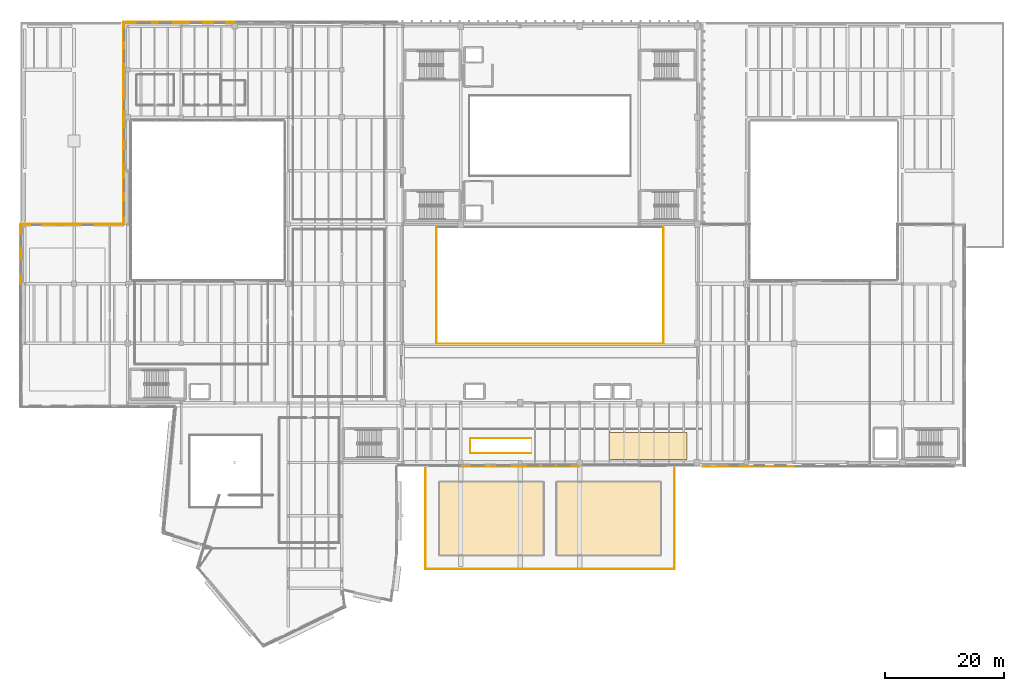
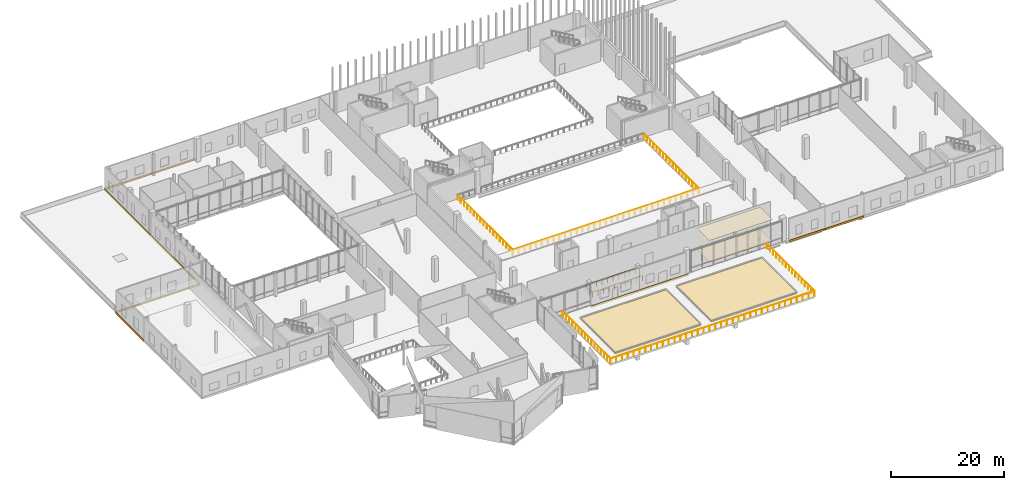
# One storey, part 52 of 60: 17 coverings, 6 railings.
"""IFC4 building model written with IfcOpenShell, lengths in metres."""

from ifc_helpers import new_model, si_unit, direction, frame, origin, origin_2d, place, context, subcontext, project, spatial, polyline, rectangle, circle, outline, extrude, material, layer, layer_set, type_object, element, save


model = new_model("IFC4")

# Units and contexts
model_context = context("Model", 3, precision=1e-05, world=origin(), true_north=direction((0.0, 1.0)))
body_context = subcontext(model_context, "Body", "Model", "MODEL_VIEW")
ifc_project = project(units=[si_unit("LENGTHUNIT", "METRE"), si_unit("AREAUNIT", "SQUARE_METRE"), si_unit("VOLUMEUNIT", "CUBIC_METRE"), si_unit("PLANEANGLEUNIT", "RADIAN"), si_unit("MASSUNIT", "GRAM", prefix="KILO")], contexts=[model_context])

# Site, building, storey
site_placement = place(None, origin())
site = spatial("IfcSite", under=ifc_project, at=site_placement, CompositionType="ELEMENT")
building_placement = place(site_placement, origin())
building = spatial("IfcBuilding", under=site, at=building_placement, Name="Trimount Lyric Opera House", CompositionType="ELEMENT")
storey_placement = place(building_placement, frame((0.0, 0.0, 15.0)))
storey = spatial("IfcBuildingStorey", under=building, at=storey_placement, Name="L03", CompositionType="ELEMENT", Elevation=15.0)

# Coverings
ifc_material_1 = material(Name="Micro-Perforated White Oak Acoustic Ceiling")
ifc_layer_1 = layer(ifc_material_1, 0.0400390625)
ifc_layer_set_1 = layer_set([ifc_layer_1], Name="CEIL-AC1")
covering_type_1 = type_object("IfcCoveringType", Name="CEIL-AC1", PredefinedType="CEILING", material=ifc_layer_set_1)
covering_1_placement = place(storey_placement, frame((0.0, 0.0, 4.679931640625)))
element("IfcCovering", 1, at=covering_1_placement, inside=storey, type_object=covering_type_1, Name="Grand Tier South Foyer acoustic ceiling", PredefinedType="CEILING", context=body_context, shape_type="SweptSolid", body=[
    extrude(outline(polyline([(99.0, 44.5), (112.0, 44.5), (112.0, 49.0), (99.0, 49.0), (99.0, 44.5)])), origin(), (0.0, 0.0, 1.0), 0.0400390625),
])
ifc_material_2 = material(Name="Architectural Precast Concrete Spandrel Band", Category="concrete")
ifc_layer_2 = layer(ifc_material_2, 0.094970703125)
ifc_layer_set_2 = layer_set([ifc_layer_2], Name="CLD-WING1")
covering_type_2 = type_object("IfcCoveringType", Name="CLD-WING1", PredefinedType="CLADDING", material=ifc_layer_set_2)
covering_2_placement = place(storey_placement, frame((-0.04150390625, 79.0, -0.369873046875), z_axis=(0.0, 0.0, 1.0), x_axis=(0.0, 1.0, 0.0)))
element("IfcCovering", 2, at=covering_2_placement, inside=storey, type_object=covering_type_2, Name="L03 precast slab-edge spandrel 246", PredefinedType="CLADDING", context=body_context, shape_type="SweptSolid", body=[
    extrude(rectangle(XDim=9.93994140625, YDim=0.094970703125, at=origin_2d()), origin(), (0.0, 0.0, 1.0), 0.419921875),
])
covering_3_placement = place(storey_placement, frame((4.5, 84.04150390625, -0.369873046875), z_axis=(0.0, 0.0, 1.0), x_axis=(1.0, 0.0, 0.0)))
element("IfcCovering", 3, at=covering_3_placement, inside=storey, type_object=covering_type_2, Name="L03 precast slab-edge spandrel 247", PredefinedType="CLADDING", context=body_context, shape_type="SweptSolid", body=[
    extrude(rectangle(XDim=8.93994140625, YDim=0.094970703125, at=origin_2d()), origin(), (0.0, 0.0, 1.0), 0.419921875),
])
covering_4_placement = place(storey_placement, frame((13.159912109375, 84.04150390625, -0.369873046875), z_axis=(0.0, 0.0, 1.0), x_axis=(1.0, 0.0, 0.0)))
element("IfcCovering", 4, at=covering_4_placement, inside=storey, type_object=covering_type_2, Name="L03 precast slab-edge spandrel 248", PredefinedType="CLADDING", context=body_context, shape_type="SweptSolid", body=[
    extrude(rectangle(XDim=8.260009765625, YDim=0.094970703125, at=origin_2d()), origin(), (0.0, 0.0, 1.0), 0.419921875),
])
for number, where, z_axis, x_axis, name in (
    (5, (17.278564453125, 88.5, -0.369873046875), (0.0, 0.0, 1.0), (0.0, 1.0, 0.0), "L03 precast slab-edge spandrel 249"),
    (6, (17.278564453125, 97.5, -0.369873046875), (0.0, 0.0, 1.0), (0.0, 1.0, 0.0), "L03 precast slab-edge spandrel 250"),
):
    element("IfcCovering", number, at=place(storey_placement, frame(where, z_axis=z_axis, x_axis=x_axis)), inside=storey, type_object=covering_type_2, Name=name, PredefinedType="CLADDING", context=body_context, shape_type="SweptSolid", body=[
        extrude(rectangle(XDim=8.93994140625, YDim=0.094970703125, at=origin_2d()), origin(), (0.0, 0.0, 1.0), 0.419921875),
    ])
for number, where, z_axis, x_axis, name in (
    (7, (17.278564453125, 106.0, -0.369873046875), (0.0, 0.0, 1.0), (0.0, 1.0, 0.0), "L03 precast slab-edge spandrel 251"),
    (8, (17.278564453125, 114.0, -0.369873046875), (0.0, 0.0, 1.0), (0.0, 1.0, 0.0), "L03 precast slab-edge spandrel 252"),
):
    element("IfcCovering", number, at=place(storey_placement, frame(where, z_axis=z_axis, x_axis=x_axis)), inside=storey, type_object=covering_type_2, Name=name, PredefinedType="CLADDING", context=body_context, shape_type="SweptSolid", body=[
        extrude(rectangle(XDim=7.93994140625, YDim=0.094970703125, at=origin_2d()), origin(), (0.0, 0.0, 1.0), 0.419921875),
    ])
covering_5_placement = place(storey_placement, frame((22.159912109375, 118.04150390625, -0.369873046875), z_axis=(0.0, 0.0, 1.0), x_axis=(1.0, 0.0, 0.0)))
element("IfcCovering", 9, at=covering_5_placement, inside=storey, type_object=covering_type_2, Name="L03 precast slab-edge spandrel 253", PredefinedType="CLADDING", context=body_context, shape_type="SweptSolid", body=[
    extrude(rectangle(XDim=9.6201171875, YDim=0.094970703125, at=origin_2d()), origin(), (0.0, 0.0, 1.0), 0.419921875),
])
covering_6_placement = place(storey_placement, frame((31.5, 118.04150390625, -0.369873046875), z_axis=(0.0, 0.0, 1.0), x_axis=(1.0, 0.0, 0.0)))
element("IfcCovering", 10, at=covering_6_placement, inside=storey, type_object=covering_type_2, Name="L03 precast slab-edge spandrel 254", PredefinedType="CLADDING", context=body_context, shape_type="SweptSolid", body=[
    extrude(rectangle(XDim=8.93994140625, YDim=0.094970703125, at=origin_2d()), origin(), (0.0, 0.0, 1.0), 0.419921875),
])
covering_7_placement = place(storey_placement, frame((126.0, 43.278564453125, -0.369873046875), z_axis=(0.0, 0.0, 1.0), x_axis=(-1.0, 0.0, 0.0)))
element("IfcCovering", 11, at=covering_7_placement, inside=storey, type_object=covering_type_2, Name="L03 precast slab-edge spandrel 278", PredefinedType="CLADDING", context=body_context, shape_type="SweptSolid", body=[
    extrude(rectangle(XDim=7.93994140625, YDim=0.094970703125, at=origin_2d()), origin(), (0.0, 0.0, 1.0), 0.419921875),
])
covering_8_placement = place(storey_placement, frame((118.340087890625, 43.278564453125, -0.369873046875), z_axis=(0.0, 0.0, 1.0), x_axis=(-1.0, 0.0, 0.0)))
element("IfcCovering", 12, at=covering_8_placement, inside=storey, type_object=covering_type_2, Name="L03 precast slab-edge spandrel 279", PredefinedType="CLADDING", context=body_context, shape_type="SweptSolid", body=[
    extrude(rectangle(XDim=7.260009765625, YDim=0.094970703125, at=origin_2d()), origin(), (0.0, 0.0, 1.0), 0.419921875),
])
for number, where, z_axis, x_axis, name in (
    (13, (89.0, 43.278564453125, -0.369873046875), (0.0, 0.0, 1.0), (-1.0, 0.0, 0.0), "L03 precast slab-edge spandrel 280"),
    (14, (79.0, 43.278564453125, -0.369873046875), (0.0, 0.0, 1.0), (-1.0, 0.0, 0.0), "L03 precast slab-edge spandrel 281"),
):
    element("IfcCovering", number, at=place(storey_placement, frame(where, z_axis=z_axis, x_axis=x_axis)), inside=storey, type_object=covering_type_2, Name=name, PredefinedType="CLADDING", context=body_context, shape_type="SweptSolid", body=[
        extrude(rectangle(XDim=9.93994140625, YDim=0.094970703125, at=origin_2d()), origin(), (0.0, 0.0, 1.0), 0.419921875),
    ])
ifc_material_3 = material(Name="Honed Granite Terrazzo Concourse Flooring", Category="masonry")
ifc_layer_3 = layer(ifc_material_3, 0.02490234375)
ifc_layer_set_3 = layer_set([ifc_layer_3], Name="FLR-TRZ1")
covering_type_3 = type_object("IfcCoveringType", Name="FLR-TRZ1", PredefinedType="FLOORING", material=ifc_layer_set_3)
covering_9_placement = place(storey_placement, origin())
element("IfcCovering", 15, at=covering_9_placement, inside=storey, type_object=covering_type_3, Name="Grand Tier South Foyer finish flooring", PredefinedType="FLOORING", context=body_context, shape_type="SweptSolid", body=[
    extrude(outline(polyline([(99.0, 44.5), (112.0, 44.5), (112.0, 49.0), (99.0, 49.0), (99.0, 44.5)])), origin(), (0.0, 0.0, 1.0), 0.02490234375),
])
ifc_material_4 = material(Name="Intensive Planted Sedum and Perennial Roof Garden")
ifc_layer_4 = layer(ifc_material_4, 0.219970703125)
ifc_layer_set_4 = layer_set([ifc_layer_4], Name="RFG-GRDN1")
covering_type_4 = type_object("IfcCoveringType", Name="RFG-GRDN1", PredefinedType="ROOFING", material=ifc_layer_set_4)
covering_10_placement = place(storey_placement, origin())
element("IfcCovering", 16, at=covering_10_placement, inside=storey, type_object=covering_type_4, Name="South Concourse Roof Garden planted sedum and perennial bed 1", PredefinedType="ROOFING", context=body_context, shape_type="SweptSolid", body=[
    extrude(outline(polyline([(70.39990234375, 28.39990234375), (87.89990234375, 28.39990234375), (87.89990234375, 40.719970703125), (70.39990234375, 40.719970703125), (70.39990234375, 28.39990234375)])), origin(), (0.0, 0.0, 1.0), 0.219970703125),
])
covering_11_placement = place(storey_placement, origin())
element("IfcCovering", 17, at=covering_11_placement, inside=storey, type_object=covering_type_4, Name="South Concourse Roof Garden planted sedum and perennial bed 2", PredefinedType="ROOFING", context=body_context, shape_type="SweptSolid", body=[
    extrude(outline(polyline([(90.10009765625, 28.39990234375), (107.60009765625, 28.39990234375), (107.60009765625, 40.719970703125), (90.10009765625, 40.719970703125), (90.10009765625, 28.39990234375)])), origin(), (0.0, 0.0, 1.0), 0.219970703125),
])

# Railings
ifc_material_5 = material(Name="Bronze and Laminated Acoustic Glass", Category="glass")
railing_type_1 = type_object("IfcRailingType", Name="RL-BAL112", PredefinedType="BALUSTRADE", material=ifc_material_5)
railing_1_placement = place(storey_placement, frame((85.85009765625, 45.5400390625, 0.0)))
element("IfcRailing", 18, at=railing_1_placement, inside=storey, type_object=railing_type_1, Name="L03 feature stair well guard G3", PredefinedType="BALUSTRADE", context=body_context, shape_type="SweptSolid", body=[
    extrude(circle(Radius=0.02734375, at=origin_2d()), frame((0.0, 0.0, 1.0927734375), z_axis=(-1.0, 0.0, 0.0), x_axis=(0.0, -1.0, 0.0)), (0.0, 0.0, 1.0), 10.260009765625),
    extrude(circle(Radius=0.02734375, at=origin_2d()), frame((-10.260009765625, 0.0, 1.0927734375), z_axis=(0.0, 1.0, 0.0), x_axis=(-1.0, 0.0, 0.0)), (0.0, 0.0, 1.0), 2.52001953125),
    extrude(circle(Radius=0.02734375, at=origin_2d()), frame((-10.260009765625, 2.52001953125, 1.0927734375), z_axis=(1.0, 0.0, 0.0), x_axis=(0.0, 1.0, 0.0)), (0.0, 0.0, 1.0), 10.260009765625),
    extrude(circle(Radius=0.02099609375, at=origin_2d()), origin(), (0.0, 0.0, 1.0), 1.065185546875),
    extrude(circle(Radius=0.02099609375, at=origin_2d()), frame((-1.139892578125, 0.0, 0.0)), (0.0, 0.0, 1.0), 1.065185546875),
    extrude(circle(Radius=0.02099609375, at=origin_2d()), frame((-2.280029296875, 0.0, 0.0)), (0.0, 0.0, 1.0), 1.065185546875),
    extrude(circle(Radius=0.02099609375, at=origin_2d()), frame((-3.419921875, 0.0, 0.0)), (0.0, 0.0, 1.0), 1.065185546875),
    extrude(circle(Radius=0.02099609375, at=origin_2d()), frame((-4.56005859375, 0.0, 0.0)), (0.0, 0.0, 1.0), 1.065185546875),
    extrude(circle(Radius=0.02099609375, at=origin_2d()), frame((-5.699951171875, 0.0, 0.0)), (0.0, 0.0, 1.0), 1.065185546875),
    extrude(circle(Radius=0.02099609375, at=origin_2d()), frame((-6.840087890625, 0.0, 0.0)), (0.0, 0.0, 1.0), 1.065185546875),
    extrude(circle(Radius=0.02099609375, at=origin_2d()), frame((-7.97998046875, 0.0, 0.0)), (0.0, 0.0, 1.0), 1.065185546875),
    extrude(circle(Radius=0.02099609375, at=origin_2d()), frame((-9.1201171875, 0.0, 0.0)), (0.0, 0.0, 1.0), 1.065185546875),
    extrude(circle(Radius=0.02099609375, at=origin_2d()), frame((-10.260009765625, 0.0, 0.0)), (0.0, 0.0, 1.0), 1.065185546875),
    extrude(circle(Radius=0.02099609375, at=origin_2d()), frame((-10.260009765625, 0.840087890625, 0.0)), (0.0, 0.0, 1.0), 1.065185546875),
    extrude(circle(Radius=0.02099609375, at=origin_2d()), frame((-10.260009765625, 1.679931640625, 0.0)), (0.0, 0.0, 1.0), 1.065185546875),
    extrude(circle(Radius=0.02099609375, at=origin_2d()), frame((-10.260009765625, 2.52001953125, 0.0)), (0.0, 0.0, 1.0), 1.065185546875),
    extrude(circle(Radius=0.02099609375, at=origin_2d()), frame((-9.1201171875, 2.52001953125, 0.0)), (0.0, 0.0, 1.0), 1.065185546875),
    extrude(circle(Radius=0.02099609375, at=origin_2d()), frame((-7.97998046875, 2.52001953125, 0.0)), (0.0, 0.0, 1.0), 1.065185546875),
    extrude(circle(Radius=0.02099609375, at=origin_2d()), frame((-6.840087890625, 2.52001953125, 0.0)), (0.0, 0.0, 1.0), 1.065185546875),
    extrude(circle(Radius=0.02099609375, at=origin_2d()), frame((-5.699951171875, 2.52001953125, 0.0)), (0.0, 0.0, 1.0), 1.065185546875),
    extrude(circle(Radius=0.02099609375, at=origin_2d()), frame((-4.56005859375, 2.52001953125, 0.0)), (0.0, 0.0, 1.0), 1.065185546875),
    extrude(circle(Radius=0.02099609375, at=origin_2d()), frame((-3.419921875, 2.52001953125, 0.0)), (0.0, 0.0, 1.0), 1.065185546875),
    extrude(circle(Radius=0.02099609375, at=origin_2d()), frame((-2.280029296875, 2.52001953125, 0.0)), (0.0, 0.0, 1.0), 1.065185546875),
    extrude(circle(Radius=0.02099609375, at=origin_2d()), frame((-1.139892578125, 2.52001953125, 0.0)), (0.0, 0.0, 1.0), 1.065185546875),
    extrude(circle(Radius=0.02099609375, at=origin_2d()), frame((0.0, 2.52001953125, 0.0)), (0.0, 0.0, 1.0), 1.065185546875),
])
railing_2_placement = place(storey_placement, frame((69.919921875, 63.919921875, 0.0)))
element("IfcRailing", 19, at=railing_2_placement, inside=storey, type_object=railing_type_1, Name="L03 atrium and balcony guard GRD-AUD-L03-S", PredefinedType="BALUSTRADE", context=body_context, shape_type="SweptSolid", body=[
    extrude(circle(Radius=0.02734375, at=origin_2d()), frame((0.0, 0.0, 1.0927734375), z_axis=(1.0, 0.0, 0.0), x_axis=(0.0, 1.0, 0.0)), (0.0, 0.0, 1.0), 38.16015625),
    extrude(circle(Radius=0.02099609375, at=origin_2d()), origin(), (0.0, 0.0, 1.0), 1.065185546875),
    extrude(circle(Radius=0.02099609375, at=origin_2d()), frame((1.1923828125, 0.0, 0.0)), (0.0, 0.0, 1.0), 1.065185546875),
    extrude(circle(Radius=0.02099609375, at=origin_2d()), frame((2.385009765625, 0.0, 0.0)), (0.0, 0.0, 1.0), 1.065185546875),
    extrude(circle(Radius=0.02099609375, at=origin_2d()), frame((3.57763671875, 0.0, 0.0)), (0.0, 0.0, 1.0), 1.065185546875),
    extrude(circle(Radius=0.02099609375, at=origin_2d()), frame((4.77001953125, 0.0, 0.0)), (0.0, 0.0, 1.0), 1.065185546875),
    extrude(circle(Radius=0.02099609375, at=origin_2d()), frame((5.96240234375, 0.0, 0.0)), (0.0, 0.0, 1.0), 1.065185546875),
    extrude(circle(Radius=0.02099609375, at=origin_2d()), frame((7.155029296875, 0.0, 0.0)), (0.0, 0.0, 1.0), 1.065185546875),
    extrude(circle(Radius=0.02099609375, at=origin_2d()), frame((8.34765625, 0.0, 0.0)), (0.0, 0.0, 1.0), 1.065185546875),
    extrude(circle(Radius=0.02099609375, at=origin_2d()), frame((9.5400390625, 0.0, 0.0)), (0.0, 0.0, 1.0), 1.065185546875),
    extrude(circle(Radius=0.02099609375, at=origin_2d()), frame((10.732421875, 0.0, 0.0)), (0.0, 0.0, 1.0), 1.065185546875),
    extrude(circle(Radius=0.02099609375, at=origin_2d()), frame((11.925048828125, 0.0, 0.0)), (0.0, 0.0, 1.0), 1.065185546875),
    extrude(circle(Radius=0.02099609375, at=origin_2d()), frame((13.11767578125, 0.0, 0.0)), (0.0, 0.0, 1.0), 1.065185546875),
    extrude(circle(Radius=0.02099609375, at=origin_2d()), frame((14.31005859375, 0.0, 0.0)), (0.0, 0.0, 1.0), 1.065185546875),
    extrude(circle(Radius=0.02099609375, at=origin_2d()), frame((15.50244140625, 0.0, 0.0)), (0.0, 0.0, 1.0), 1.065185546875),
    extrude(circle(Radius=0.02099609375, at=origin_2d()), frame((16.695068359375, 0.0, 0.0)), (0.0, 0.0, 1.0), 1.065185546875),
    extrude(circle(Radius=0.02099609375, at=origin_2d()), frame((17.8876953125, 0.0, 0.0)), (0.0, 0.0, 1.0), 1.065185546875),
    extrude(circle(Radius=0.02099609375, at=origin_2d()), frame((19.080078125, 0.0, 0.0)), (0.0, 0.0, 1.0), 1.065185546875),
    extrude(circle(Radius=0.02099609375, at=origin_2d()), frame((20.2724609375, 0.0, 0.0)), (0.0, 0.0, 1.0), 1.065185546875),
    extrude(circle(Radius=0.02099609375, at=origin_2d()), frame((21.465087890625, 0.0, 0.0)), (0.0, 0.0, 1.0), 1.065185546875),
    extrude(circle(Radius=0.02099609375, at=origin_2d()), frame((22.65771484375, 0.0, 0.0)), (0.0, 0.0, 1.0), 1.065185546875),
    extrude(circle(Radius=0.02099609375, at=origin_2d()), frame((23.85009765625, 0.0, 0.0)), (0.0, 0.0, 1.0), 1.065185546875),
    extrude(circle(Radius=0.02099609375, at=origin_2d()), frame((25.04248046875, 0.0, 0.0)), (0.0, 0.0, 1.0), 1.065185546875),
    extrude(circle(Radius=0.02099609375, at=origin_2d()), frame((26.235107421875, 0.0, 0.0)), (0.0, 0.0, 1.0), 1.065185546875),
    extrude(circle(Radius=0.02099609375, at=origin_2d()), frame((27.427734375, 0.0, 0.0)), (0.0, 0.0, 1.0), 1.065185546875),
    extrude(circle(Radius=0.02099609375, at=origin_2d()), frame((28.6201171875, 0.0, 0.0)), (0.0, 0.0, 1.0), 1.065185546875),
    extrude(circle(Radius=0.02099609375, at=origin_2d()), frame((29.8125, 0.0, 0.0)), (0.0, 0.0, 1.0), 1.065185546875),
    extrude(circle(Radius=0.02099609375, at=origin_2d()), frame((31.005126953125, 0.0, 0.0)), (0.0, 0.0, 1.0), 1.065185546875),
    extrude(circle(Radius=0.02099609375, at=origin_2d()), frame((32.19775390625, 0.0, 0.0)), (0.0, 0.0, 1.0), 1.065185546875),
    extrude(circle(Radius=0.02099609375, at=origin_2d()), frame((33.39013671875, 0.0, 0.0)), (0.0, 0.0, 1.0), 1.065185546875),
    extrude(circle(Radius=0.02099609375, at=origin_2d()), frame((34.58251953125, 0.0, 0.0)), (0.0, 0.0, 1.0), 1.065185546875),
    extrude(circle(Radius=0.02099609375, at=origin_2d()), frame((35.775146484375, 0.0, 0.0)), (0.0, 0.0, 1.0), 1.065185546875),
    extrude(circle(Radius=0.02099609375, at=origin_2d()), frame((36.9677734375, 0.0, 0.0)), (0.0, 0.0, 1.0), 1.065185546875),
    extrude(circle(Radius=0.02099609375, at=origin_2d()), frame((38.16015625, 0.0, 0.0)), (0.0, 0.0, 1.0), 1.065185546875),
])
railing_3_placement = place(storey_placement, frame((108.080078125, 63.919921875, 0.0)))
element("IfcRailing", 20, at=railing_3_placement, inside=storey, type_object=railing_type_1, Name="L03 atrium and balcony guard GRD-AUD-L03-E", PredefinedType="BALUSTRADE", context=body_context, shape_type="SweptSolid", body=[
    extrude(circle(Radius=0.02734375, at=origin_2d()), frame((0.0, 0.0, 1.0927734375), z_axis=(0.0, 1.0, 0.0), x_axis=(-1.0, 0.0, 0.0)), (0.0, 0.0, 1.0), 19.66015625),
    extrude(circle(Radius=0.02099609375, at=origin_2d()), origin(), (0.0, 0.0, 1.0), 1.065185546875),
    extrude(circle(Radius=0.02099609375, at=origin_2d()), frame((0.0, 1.156494140625, 0.0)), (0.0, 0.0, 1.0), 1.065185546875),
    extrude(circle(Radius=0.02099609375, at=origin_2d()), frame((0.0, 2.31298828125, 0.0)), (0.0, 0.0, 1.0), 1.065185546875),
    extrude(circle(Radius=0.02099609375, at=origin_2d()), frame((0.0, 3.469482421875, 0.0)), (0.0, 0.0, 1.0), 1.065185546875),
    extrude(circle(Radius=0.02099609375, at=origin_2d()), frame((0.0, 4.6259765625, 0.0)), (0.0, 0.0, 1.0), 1.065185546875),
    extrude(circle(Radius=0.02099609375, at=origin_2d()), frame((0.0, 5.782470703125, 0.0)), (0.0, 0.0, 1.0), 1.065185546875),
    extrude(circle(Radius=0.02099609375, at=origin_2d()), frame((0.0, 6.93896484375, 0.0)), (0.0, 0.0, 1.0), 1.065185546875),
    extrude(circle(Radius=0.02099609375, at=origin_2d()), frame((0.0, 8.095458984375, 0.0)), (0.0, 0.0, 1.0), 1.065185546875),
    extrude(circle(Radius=0.02099609375, at=origin_2d()), frame((0.0, 9.251953125, 0.0)), (0.0, 0.0, 1.0), 1.065185546875),
    extrude(circle(Radius=0.02099609375, at=origin_2d()), frame((0.0, 10.408203125, 0.0)), (0.0, 0.0, 1.0), 1.065185546875),
    extrude(circle(Radius=0.02099609375, at=origin_2d()), frame((0.0, 11.564697265625, 0.0)), (0.0, 0.0, 1.0), 1.065185546875),
    extrude(circle(Radius=0.02099609375, at=origin_2d()), frame((0.0, 12.72119140625, 0.0)), (0.0, 0.0, 1.0), 1.065185546875),
    extrude(circle(Radius=0.02099609375, at=origin_2d()), frame((0.0, 13.877685546875, 0.0)), (0.0, 0.0, 1.0), 1.065185546875),
    extrude(circle(Radius=0.02099609375, at=origin_2d()), frame((0.0, 15.0341796875, 0.0)), (0.0, 0.0, 1.0), 1.065185546875),
    extrude(circle(Radius=0.02099609375, at=origin_2d()), frame((0.0, 16.190673828125, 0.0)), (0.0, 0.0, 1.0), 1.065185546875),
    extrude(circle(Radius=0.02099609375, at=origin_2d()), frame((0.0, 17.34716796875, 0.0)), (0.0, 0.0, 1.0), 1.065185546875),
    extrude(circle(Radius=0.02099609375, at=origin_2d()), frame((0.0, 18.503662109375, 0.0)), (0.0, 0.0, 1.0), 1.065185546875),
    extrude(circle(Radius=0.02099609375, at=origin_2d()), frame((0.0, 19.66015625, 0.0)), (0.0, 0.0, 1.0), 1.065185546875),
])
railing_4_placement = place(storey_placement, frame((69.919921875, 83.580078125, 0.0)))
element("IfcRailing", 21, at=railing_4_placement, inside=storey, type_object=railing_type_1, Name="L03 atrium and balcony guard GRD-AUD-L03-W", PredefinedType="BALUSTRADE", context=body_context, shape_type="SweptSolid", body=[
    extrude(circle(Radius=0.02734375, at=origin_2d()), frame((0.0, 0.0, 1.0927734375), z_axis=(0.0, -1.0, 0.0), x_axis=(1.0, 0.0, 0.0)), (0.0, 0.0, 1.0), 19.66015625),
    extrude(circle(Radius=0.02099609375, at=origin_2d()), origin(), (0.0, 0.0, 1.0), 1.065185546875),
    extrude(circle(Radius=0.02099609375, at=origin_2d()), frame((0.0, -1.156494140625, 0.0)), (0.0, 0.0, 1.0), 1.065185546875),
    extrude(circle(Radius=0.02099609375, at=origin_2d()), frame((0.0, -2.31298828125, 0.0)), (0.0, 0.0, 1.0), 1.065185546875),
    extrude(circle(Radius=0.02099609375, at=origin_2d()), frame((0.0, -3.469482421875, 0.0)), (0.0, 0.0, 1.0), 1.065185546875),
    extrude(circle(Radius=0.02099609375, at=origin_2d()), frame((0.0, -4.6259765625, 0.0)), (0.0, 0.0, 1.0), 1.065185546875),
    extrude(circle(Radius=0.02099609375, at=origin_2d()), frame((0.0, -5.782470703125, 0.0)), (0.0, 0.0, 1.0), 1.065185546875),
    extrude(circle(Radius=0.02099609375, at=origin_2d()), frame((0.0, -6.93896484375, 0.0)), (0.0, 0.0, 1.0), 1.065185546875),
    extrude(circle(Radius=0.02099609375, at=origin_2d()), frame((0.0, -8.095458984375, 0.0)), (0.0, 0.0, 1.0), 1.065185546875),
    extrude(circle(Radius=0.02099609375, at=origin_2d()), frame((0.0, -9.251953125, 0.0)), (0.0, 0.0, 1.0), 1.065185546875),
    extrude(circle(Radius=0.02099609375, at=origin_2d()), frame((0.0, -10.408203125, 0.0)), (0.0, 0.0, 1.0), 1.065185546875),
    extrude(circle(Radius=0.02099609375, at=origin_2d()), frame((0.0, -11.564697265625, 0.0)), (0.0, 0.0, 1.0), 1.065185546875),
    extrude(circle(Radius=0.02099609375, at=origin_2d()), frame((0.0, -12.72119140625, 0.0)), (0.0, 0.0, 1.0), 1.065185546875),
    extrude(circle(Radius=0.02099609375, at=origin_2d()), frame((0.0, -13.877685546875, 0.0)), (0.0, 0.0, 1.0), 1.065185546875),
    extrude(circle(Radius=0.02099609375, at=origin_2d()), frame((0.0, -15.0341796875, 0.0)), (0.0, 0.0, 1.0), 1.065185546875),
    extrude(circle(Radius=0.02099609375, at=origin_2d()), frame((0.0, -16.190673828125, 0.0)), (0.0, 0.0, 1.0), 1.065185546875),
    extrude(circle(Radius=0.02099609375, at=origin_2d()), frame((0.0, -17.34716796875, 0.0)), (0.0, 0.0, 1.0), 1.065185546875),
    extrude(circle(Radius=0.02099609375, at=origin_2d()), frame((0.0, -18.503662109375, 0.0)), (0.0, 0.0, 1.0), 1.065185546875),
    extrude(circle(Radius=0.02099609375, at=origin_2d()), frame((0.0, -19.66015625, 0.0)), (0.0, 0.0, 1.0), 1.065185546875),
])
ifc_material_6 = material(Name="Laminated Glass and Stainless Steel", Category="steel")
railing_type_2 = type_object("IfcRailingType", Name="RL-GRD115", PredefinedType="GUARDRAIL", material=ifc_material_6)
railing_5_placement = place(storey_placement, frame((109.919921875, 26.080078125, 0.0)))
element("IfcRailing", 22, at=railing_5_placement, inside=storey, type_object=railing_type_2, Name="South Concourse Roof Garden perimeter guardrail 1", PredefinedType="GUARDRAIL", context=body_context, shape_type="SweptSolid", body=[
    extrude(circle(Radius=0.02392578125, at=origin_2d()), frame((0.0, 0.0, 1.1259765625), z_axis=(-1.0, 0.0, 0.0), x_axis=(0.0, -1.0, 0.0)), (0.0, 0.0, 1.0), 41.83984375),
    extrude(circle(Radius=0.02392578125, at=origin_2d()), frame((-41.83984375, 0.0, 1.1259765625), z_axis=(0.0, 1.0, 0.0), x_axis=(-1.0, 0.0, 0.0)), (0.0, 0.0, 1.0), 16.889892578125),
    extrude(circle(Radius=0.02099609375, at=origin_2d()), origin(), (0.0, 0.0, 1.0), 1.101806640625),
    extrude(circle(Radius=0.02099609375, at=origin_2d()), frame((-1.1953125, 0.0, 0.0)), (0.0, 0.0, 1.0), 1.101806640625),
    extrude(circle(Radius=0.02099609375, at=origin_2d()), frame((-2.390869140625, 0.0, 0.0)), (0.0, 0.0, 1.0), 1.101806640625),
    extrude(circle(Radius=0.02099609375, at=origin_2d()), frame((-3.586181640625, 0.0, 0.0)), (0.0, 0.0, 1.0), 1.101806640625),
    extrude(circle(Radius=0.02099609375, at=origin_2d()), frame((-4.78173828125, 0.0, 0.0)), (0.0, 0.0, 1.0), 1.101806640625),
    extrude(circle(Radius=0.02099609375, at=origin_2d()), frame((-5.97705078125, 0.0, 0.0)), (0.0, 0.0, 1.0), 1.101806640625),
    extrude(circle(Radius=0.02099609375, at=origin_2d()), frame((-7.172607421875, 0.0, 0.0)), (0.0, 0.0, 1.0), 1.101806640625),
    extrude(circle(Radius=0.02099609375, at=origin_2d()), frame((-8.367919921875, 0.0, 0.0)), (0.0, 0.0, 1.0), 1.101806640625),
    extrude(circle(Radius=0.02099609375, at=origin_2d()), frame((-9.5634765625, 0.0, 0.0)), (0.0, 0.0, 1.0), 1.101806640625),
    extrude(circle(Radius=0.02099609375, at=origin_2d()), frame((-10.7587890625, 0.0, 0.0)), (0.0, 0.0, 1.0), 1.101806640625),
    extrude(circle(Radius=0.02099609375, at=origin_2d()), frame((-11.954345703125, 0.0, 0.0)), (0.0, 0.0, 1.0), 1.101806640625),
    extrude(circle(Radius=0.02099609375, at=origin_2d()), frame((-13.149658203125, 0.0, 0.0)), (0.0, 0.0, 1.0), 1.101806640625),
    extrude(circle(Radius=0.02099609375, at=origin_2d()), frame((-14.344970703125, 0.0, 0.0)), (0.0, 0.0, 1.0), 1.101806640625),
    extrude(circle(Radius=0.02099609375, at=origin_2d()), frame((-15.54052734375, 0.0, 0.0)), (0.0, 0.0, 1.0), 1.101806640625),
    extrude(circle(Radius=0.02099609375, at=origin_2d()), frame((-16.73583984375, 0.0, 0.0)), (0.0, 0.0, 1.0), 1.101806640625),
    extrude(circle(Radius=0.02099609375, at=origin_2d()), frame((-17.931396484375, 0.0, 0.0)), (0.0, 0.0, 1.0), 1.101806640625),
    extrude(circle(Radius=0.02099609375, at=origin_2d()), frame((-19.126708984375, 0.0, 0.0)), (0.0, 0.0, 1.0), 1.101806640625),
    extrude(circle(Radius=0.02099609375, at=origin_2d()), frame((-20.322265625, 0.0, 0.0)), (0.0, 0.0, 1.0), 1.101806640625),
    extrude(circle(Radius=0.02099609375, at=origin_2d()), frame((-21.517578125, 0.0, 0.0)), (0.0, 0.0, 1.0), 1.101806640625),
    extrude(circle(Radius=0.02099609375, at=origin_2d()), frame((-22.713134765625, 0.0, 0.0)), (0.0, 0.0, 1.0), 1.101806640625),
    extrude(circle(Radius=0.02099609375, at=origin_2d()), frame((-23.908447265625, 0.0, 0.0)), (0.0, 0.0, 1.0), 1.101806640625),
    extrude(circle(Radius=0.02099609375, at=origin_2d()), frame((-25.10400390625, 0.0, 0.0)), (0.0, 0.0, 1.0), 1.101806640625),
    extrude(circle(Radius=0.02099609375, at=origin_2d()), frame((-26.29931640625, 0.0, 0.0)), (0.0, 0.0, 1.0), 1.101806640625),
    extrude(circle(Radius=0.02099609375, at=origin_2d()), frame((-27.494873046875, 0.0, 0.0)), (0.0, 0.0, 1.0), 1.101806640625),
    extrude(circle(Radius=0.02099609375, at=origin_2d()), frame((-28.690185546875, 0.0, 0.0)), (0.0, 0.0, 1.0), 1.101806640625),
    extrude(circle(Radius=0.02099609375, at=origin_2d()), frame((-29.885498046875, 0.0, 0.0)), (0.0, 0.0, 1.0), 1.101806640625),
    extrude(circle(Radius=0.02099609375, at=origin_2d()), frame((-31.0810546875, 0.0, 0.0)), (0.0, 0.0, 1.0), 1.101806640625),
    extrude(circle(Radius=0.02099609375, at=origin_2d()), frame((-32.2763671875, 0.0, 0.0)), (0.0, 0.0, 1.0), 1.101806640625),
    extrude(circle(Radius=0.02099609375, at=origin_2d()), frame((-33.471923828125, 0.0, 0.0)), (0.0, 0.0, 1.0), 1.101806640625),
    extrude(circle(Radius=0.02099609375, at=origin_2d()), frame((-34.667236328125, 0.0, 0.0)), (0.0, 0.0, 1.0), 1.101806640625),
    extrude(circle(Radius=0.02099609375, at=origin_2d()), frame((-35.86279296875, 0.0, 0.0)), (0.0, 0.0, 1.0), 1.101806640625),
    extrude(circle(Radius=0.02099609375, at=origin_2d()), frame((-37.05810546875, 0.0, 0.0)), (0.0, 0.0, 1.0), 1.101806640625),
    extrude(circle(Radius=0.02099609375, at=origin_2d()), frame((-38.253662109375, 0.0, 0.0)), (0.0, 0.0, 1.0), 1.101806640625),
    extrude(circle(Radius=0.02099609375, at=origin_2d()), frame((-39.448974609375, 0.0, 0.0)), (0.0, 0.0, 1.0), 1.101806640625),
    extrude(circle(Radius=0.02099609375, at=origin_2d()), frame((-40.64453125, 0.0, 0.0)), (0.0, 0.0, 1.0), 1.101806640625),
    extrude(circle(Radius=0.02099609375, at=origin_2d()), frame((-41.83984375, 0.0, 0.0)), (0.0, 0.0, 1.0), 1.101806640625),
    extrude(circle(Radius=0.02099609375, at=origin_2d()), frame((-41.83984375, 1.1259765625, 0.0)), (0.0, 0.0, 1.0), 1.101806640625),
    extrude(circle(Radius=0.02099609375, at=origin_2d()), frame((-41.83984375, 2.251953125, 0.0)), (0.0, 0.0, 1.0), 1.101806640625),
    extrude(circle(Radius=0.02099609375, at=origin_2d()), frame((-41.83984375, 3.3779296875, 0.0)), (0.0, 0.0, 1.0), 1.101806640625),
    extrude(circle(Radius=0.02099609375, at=origin_2d()), frame((-41.83984375, 4.50390625, 0.0)), (0.0, 0.0, 1.0), 1.101806640625),
    extrude(circle(Radius=0.02099609375, at=origin_2d()), frame((-41.83984375, 5.6298828125, 0.0)), (0.0, 0.0, 1.0), 1.101806640625),
    extrude(circle(Radius=0.02099609375, at=origin_2d()), frame((-41.83984375, 6.755859375, 0.0)), (0.0, 0.0, 1.0), 1.101806640625),
    extrude(circle(Radius=0.02099609375, at=origin_2d()), frame((-41.83984375, 7.8818359375, 0.0)), (0.0, 0.0, 1.0), 1.101806640625),
    extrude(circle(Radius=0.02099609375, at=origin_2d()), frame((-41.83984375, 9.008056640625, 0.0)), (0.0, 0.0, 1.0), 1.101806640625),
    extrude(circle(Radius=0.02099609375, at=origin_2d()), frame((-41.83984375, 10.134033203125, 0.0)), (0.0, 0.0, 1.0), 1.101806640625),
    extrude(circle(Radius=0.02099609375, at=origin_2d()), frame((-41.83984375, 11.260009765625, 0.0)), (0.0, 0.0, 1.0), 1.101806640625),
    extrude(circle(Radius=0.02099609375, at=origin_2d()), frame((-41.83984375, 12.385986328125, 0.0)), (0.0, 0.0, 1.0), 1.101806640625),
    extrude(circle(Radius=0.02099609375, at=origin_2d()), frame((-41.83984375, 13.511962890625, 0.0)), (0.0, 0.0, 1.0), 1.101806640625),
    extrude(circle(Radius=0.02099609375, at=origin_2d()), frame((-41.83984375, 14.637939453125, 0.0)), (0.0, 0.0, 1.0), 1.101806640625),
    extrude(circle(Radius=0.02099609375, at=origin_2d()), frame((-41.83984375, 15.763916015625, 0.0)), (0.0, 0.0, 1.0), 1.101806640625),
    extrude(circle(Radius=0.02099609375, at=origin_2d()), frame((-41.83984375, 16.889892578125, 0.0)), (0.0, 0.0, 1.0), 1.101806640625),
])
railing_6_placement = place(storey_placement, frame((109.919921875, 42.969970703125, 0.0)))
element("IfcRailing", 23, at=railing_6_placement, inside=storey, type_object=railing_type_2, Name="South Concourse Roof Garden perimeter guardrail 2", PredefinedType="GUARDRAIL", context=body_context, shape_type="SweptSolid", body=[
    extrude(circle(Radius=0.02392578125, at=origin_2d()), frame((0.0, 0.0, 1.1259765625), z_axis=(0.0, -1.0, 0.0), x_axis=(1.0, 0.0, 0.0)), (0.0, 0.0, 1.0), 16.889892578125),
    extrude(circle(Radius=0.02099609375, at=origin_2d()), origin(), (0.0, 0.0, 1.0), 1.101806640625),
    extrude(circle(Radius=0.02099609375, at=origin_2d()), frame((0.0, -1.1259765625, 0.0)), (0.0, 0.0, 1.0), 1.101806640625),
    extrude(circle(Radius=0.02099609375, at=origin_2d()), frame((0.0, -2.251953125, 0.0)), (0.0, 0.0, 1.0), 1.101806640625),
    extrude(circle(Radius=0.02099609375, at=origin_2d()), frame((0.0, -3.3779296875, 0.0)), (0.0, 0.0, 1.0), 1.101806640625),
    extrude(circle(Radius=0.02099609375, at=origin_2d()), frame((0.0, -4.50390625, 0.0)), (0.0, 0.0, 1.0), 1.101806640625),
    extrude(circle(Radius=0.02099609375, at=origin_2d()), frame((0.0, -5.6298828125, 0.0)), (0.0, 0.0, 1.0), 1.101806640625),
    extrude(circle(Radius=0.02099609375, at=origin_2d()), frame((0.0, -6.755859375, 0.0)), (0.0, 0.0, 1.0), 1.101806640625),
    extrude(circle(Radius=0.02099609375, at=origin_2d()), frame((0.0, -7.8818359375, 0.0)), (0.0, 0.0, 1.0), 1.101806640625),
    extrude(circle(Radius=0.02099609375, at=origin_2d()), frame((0.0, -9.008056640625, 0.0)), (0.0, 0.0, 1.0), 1.101806640625),
    extrude(circle(Radius=0.02099609375, at=origin_2d()), frame((0.0, -10.134033203125, 0.0)), (0.0, 0.0, 1.0), 1.101806640625),
    extrude(circle(Radius=0.02099609375, at=origin_2d()), frame((0.0, -11.260009765625, 0.0)), (0.0, 0.0, 1.0), 1.101806640625),
    extrude(circle(Radius=0.02099609375, at=origin_2d()), frame((0.0, -12.385986328125, 0.0)), (0.0, 0.0, 1.0), 1.101806640625),
    extrude(circle(Radius=0.02099609375, at=origin_2d()), frame((0.0, -13.511962890625, 0.0)), (0.0, 0.0, 1.0), 1.101806640625),
    extrude(circle(Radius=0.02099609375, at=origin_2d()), frame((0.0, -14.637939453125, 0.0)), (0.0, 0.0, 1.0), 1.101806640625),
    extrude(circle(Radius=0.02099609375, at=origin_2d()), frame((0.0, -15.763916015625, 0.0)), (0.0, 0.0, 1.0), 1.101806640625),
    extrude(circle(Radius=0.02099609375, at=origin_2d()), frame((0.0, -16.889892578125, 0.0)), (0.0, 0.0, 1.0), 1.101806640625),
])

save(model, "model.ifc")
